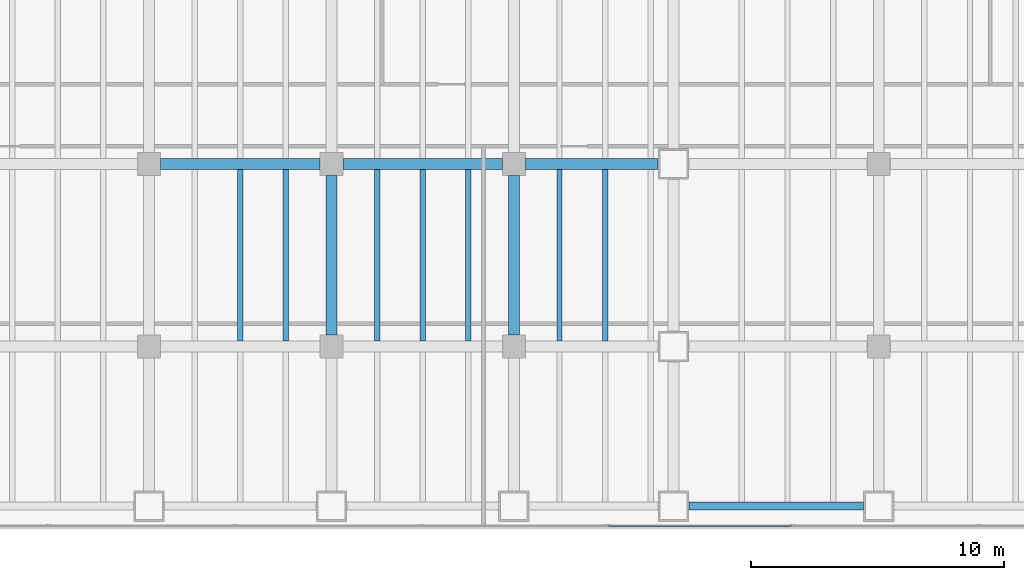
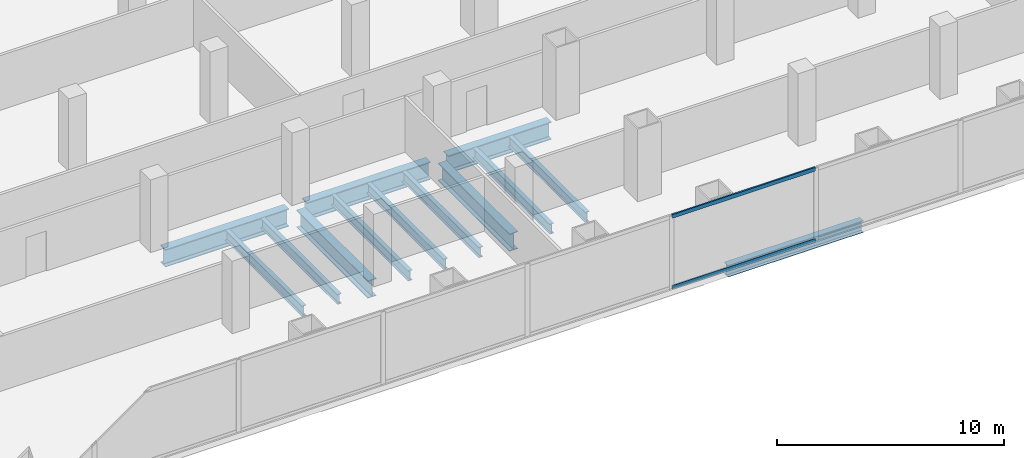
# One storey, part 6 of 31: 13 beams, 2 members, 1 element without a shape of its own.
"""IFC4 building model written with IfcOpenShell, lengths in metres."""

from ifc_helpers import new_model, si_unit, direction, frame, origin, origin_2d, place, context, subcontext, project, spatial, hollow_rectangle, i_section, extrude, material, material_profile, profile_set, type_object, element, aggregate, save


model = new_model("IFC4")

# Units and contexts
model_context = context("Model", 3, precision=1e-05, world=origin(), true_north=direction((0.0, 1.0)))
body_context = subcontext(model_context, "Body", "Model", "MODEL_VIEW")
ifc_project = project(units=[si_unit("LENGTHUNIT", "METRE"), si_unit("AREAUNIT", "SQUARE_METRE"), si_unit("VOLUMEUNIT", "CUBIC_METRE"), si_unit("PLANEANGLEUNIT", "RADIAN"), si_unit("MASSUNIT", "GRAM", prefix="KILO")], contexts=[model_context])

# Site, building, storey
site_placement = place(None, origin())
site = spatial("IfcSite", under=ifc_project, at=site_placement, CompositionType="ELEMENT")
building_placement = place(site_placement, origin())
building = spatial("IfcBuilding", under=site, at=building_placement, Name="Cobrela Telecom Tower", CompositionType="ELEMENT")
storey_placement = place(building_placement, frame((0.0, 0.0, 9.449951171875)))
storey = spatial("IfcBuildingStorey", under=building, at=storey_placement, Name="L02", CompositionType="ELEMENT", Elevation=9.449951171875)

# Beams
ifc_material_1 = material(Name="Steel ASTM A992 Grade 50", Category="steel")
ifc_material_profile_1 = material_profile(ifc_material_1, i_section(OverallWidth=0.424072265625, OverallDepth=0.947021484375, WebThickness=0.02392578125, FlangeThickness=0.042724609375, FilletRadius=0.02392578125, at=origin_2d()), Name="W36X302")
ifc_profile_set_1 = profile_set([ifc_material_profile_1], Name="Steel ASTM A992 Grade 50")
beam_type_1 = type_object("IfcBeamType", Name="BM-GIRD-01", PredefinedType="USERDEFINED", material=ifc_profile_set_1)
for number, where, z_axis, x_axis, name in (
    (1, (29.2548828125, 14.39990234375, -0.7734375), (1.0, 0.0, 0.0), (0.0, 1.0, 0.0), "L02 Primary Girder X21"),
    (2, (36.455078125, 14.39990234375, -0.7734375), (1.0, 0.0, 0.0), (0.0, 1.0, 0.0), "L02 Primary Girder X22"),
):
    element("IfcBeam", number, at=place(storey_placement, frame(where, z_axis=z_axis, x_axis=x_axis)), inside=storey, type_object=beam_type_1, Name=name, ObjectType="GIRDER", PredefinedType="USERDEFINED", context=body_context, shape_type="SweptSolid", body=[
        extrude(i_section(OverallWidth=0.424072265625, OverallDepth=0.947021484375, WebThickness=0.02392578125, FlangeThickness=0.042724609375, FilletRadius=0.02392578125, at=origin_2d()), origin(), (0.0, 0.0, 1.0), 6.2900390625),
    ])
beam_1_placement = place(storey_placement, frame((43.655029296875, 14.39990234375, -0.7734375), z_axis=(1.0, 0.0, 0.0), x_axis=(0.0, 1.0, 0.0)))
element("IfcBeam", 3, at=beam_1_placement, inside=storey, type_object=beam_type_1, Name="L02 Primary Girder X23", ObjectType="GIRDER", PredefinedType="USERDEFINED", context=body_context, shape_type="SweptSolid", body=[
    extrude(i_section(OverallWidth=0.424072265625, OverallDepth=0.947021484375, WebThickness=0.02392578125, FlangeThickness=0.042724609375, FilletRadius=0.02392578125, at=origin_2d()), origin(), (0.0, 0.0, 1.0), 5.239990234375),
])
for number, where, z_axis, x_axis, name in (
    (4, (36.0, 7.655029296875, -0.7734375), (0.0, 1.0, 0.0), (-1.0, 0.0, 0.0), "L02 Primary Girder Y72"),
    (5, (43.199951171875, 7.655029296875, -0.7734375), (0.0, 1.0, 0.0), (-1.0, 0.0, 0.0), "L02 Primary Girder Y79"),
):
    element("IfcBeam", number, at=place(storey_placement, frame(where, z_axis=z_axis, x_axis=x_axis)), inside=storey, type_object=beam_type_1, Name=name, ObjectType="GIRDER", PredefinedType="USERDEFINED", context=body_context, shape_type="SweptSolid", body=[
        extrude(i_section(OverallWidth=0.424072265625, OverallDepth=0.947021484375, WebThickness=0.02392578125, FlangeThickness=0.042724609375, FilletRadius=0.02392578125, at=origin_2d()), origin(), (0.0, 0.0, 1.0), 6.2900390625),
    ])
ifc_material_profile_2 = material_profile(ifc_material_1, i_section(OverallWidth=0.212890625, OverallDepth=0.549072265625, WebThickness=0.0146484375, FlangeThickness=0.023681640625, FilletRadius=0.013916015625, at=origin_2d()), Name="W21X93")
ifc_profile_set_2 = profile_set([ifc_material_profile_2], Name="Steel ASTM A992 Grade 50")
beam_type_2 = type_object("IfcBeamType", Name="BM-JOIST-01", PredefinedType="JOIST", material=ifc_profile_set_2)
for number, where, z_axis, x_axis, name in (
    (6, (32.39990234375, 7.4169921875, -0.574462890625), (0.0, 1.0, 0.0), (-1.0, 0.0, 0.0), "L02 Secondary Composite Floor Beam J59"),
    (7, (34.199951171875, 7.4169921875, -0.574462890625), (0.0, 1.0, 0.0), (-1.0, 0.0, 0.0), "L02 Secondary Composite Floor Beam J64"),
    (8, (37.800048828125, 7.4169921875, -0.574462890625), (0.0, 1.0, 0.0), (-1.0, 0.0, 0.0), "L02 Secondary Composite Floor Beam J71"),
    (9, (39.60009765625, 7.4169921875, -0.574462890625), (0.0, 1.0, 0.0), (-1.0, 0.0, 0.0), "L02 Secondary Composite Floor Beam J78"),
    (10, (41.39990234375, 7.4169921875, -0.574462890625), (0.0, 1.0, 0.0), (-1.0, 0.0, 0.0), "L02 Secondary Composite Floor Beam J85"),
    (11, (45.0, 7.4169921875, -0.574462890625), (0.0, 1.0, 0.0), (-1.0, 0.0, 0.0), "L02 Secondary Composite Floor Beam J92"),
    (12, (46.800048828125, 7.4169921875, -0.574462890625), (0.0, 1.0, 0.0), (-1.0, 0.0, 0.0), "L02 Secondary Composite Floor Beam J95"),
):
    element("IfcBeam", number, at=place(storey_placement, frame(where, z_axis=z_axis, x_axis=x_axis)), inside=storey, type_object=beam_type_2, Name=name, PredefinedType="JOIST", context=body_context, shape_type="SweptSolid", body=[
        extrude(i_section(OverallWidth=0.212890625, OverallDepth=0.549072265625, WebThickness=0.0146484375, FlangeThickness=0.023681640625, FilletRadius=0.013916015625, at=origin_2d()), origin(), (0.0, 0.0, 1.0), 6.76611328125),
    ])
ifc_material_profile_3 = material_profile(ifc_material_1, i_section(OverallWidth=0.327880859375, OverallDepth=0.6220703125, WebThickness=0.015380859375, FlangeThickness=0.0244140625, FilletRadius=0.014892578125, at=origin_2d()), Name="W24X131")
ifc_profile_set_3 = profile_set([ifc_material_profile_3], Name="Steel ASTM A992 Grade 50")
beam_type_3 = type_object("IfcBeamType", Name="BM-SPAND-01", PredefinedType="SPANDREL", material=ifc_profile_set_3)
beam_2_placement = place(storey_placement, frame((50.10498046875, 0.89990234375, -0.61083984375), z_axis=(1.0, 0.0, 0.0), x_axis=(0.0, 1.0, 0.0)))
element("IfcBeam", 13, at=beam_2_placement, inside=storey, type_object=beam_type_3, Name="L02 Perimeter Spandrel X06", PredefinedType="SPANDREL", context=body_context, shape_type="SweptSolid", body=[
    extrude(i_section(OverallWidth=0.327880859375, OverallDepth=0.6220703125, WebThickness=0.015380859375, FlangeThickness=0.0244140625, FilletRadius=0.014892578125, at=origin_2d()), origin(), (0.0, 0.0, 1.0), 6.89013671875),
])

# Curtain wall, members
ifc_material_2 = material(Name="Anodized Bronze Aluminium 6063-T6", Category="aluminium")
curtain_wall_type = type_object("IfcCurtainWallType", Name="CW-SYS-CONC", PredefinedType="USERDEFINED", material=ifc_material_2)
curtain_wall_placement = place(storey_placement, origin())
curtain_wall = element("IfcCurtainWall", 14, at=curtain_wall_placement, inside=storey, type_object=curtain_wall_type, Name="L02 Unitised Bronze Curtain Wall 17", ObjectType="UNITISED CURTAIN WALL", PredefinedType="USERDEFINED")
ifc_material_profile_4 = material_profile(ifc_material_2, hollow_rectangle(XDim=0.080078125, YDim=0.199951171875, WallThickness=0.00390625, at=origin_2d()), Name="ALU 80x200x4")
ifc_profile_set_4 = profile_set([ifc_material_profile_4], Name="Anodized Bronze Aluminium 6063-T6")
member_type = type_object("IfcMemberType", Name="CW-SYS-CONC-TRN", PredefinedType="USERDEFINED", material=ifc_profile_set_4)
member_1_placement = place(storey_placement, frame((54.172607421875, 0.1201171875, 0.0400390625), z_axis=(-1.0, 0.0, 0.0), x_axis=(0.0, -1.0, 0.0)))
member_1 = element("IfcMember", 15, at=member_1_placement, type_object=member_type, Name="CW-CONC transom 5.1", ObjectType="TRANSOM", PredefinedType="USERDEFINED", context=body_context, shape_type="SweptSolid", body=[
    extrude(hollow_rectangle(XDim=0.080078125, YDim=0.199951171875, WallThickness=0.00390625, at=origin_2d()), origin(), (0.0, 0.0, 1.0), 7.26171875),
])
member_2_placement = place(storey_placement, frame((54.172607421875, 0.1201171875, 3.860107421875), z_axis=(-1.0, 0.0, 0.0), x_axis=(0.0, -1.0, 0.0)))
member_2 = element("IfcMember", 16, at=member_2_placement, type_object=member_type, Name="CW-CONC transom 5.2", ObjectType="TRANSOM", PredefinedType="USERDEFINED", context=body_context, shape_type="SweptSolid", body=[
    extrude(hollow_rectangle(XDim=0.080078125, YDim=0.199951171875, WallThickness=0.00390625, at=origin_2d()), origin(), (0.0, 0.0, 1.0), 7.26171875),
])
aggregate(curtain_wall, [member_1, member_2])

save(model, "model.ifc")
